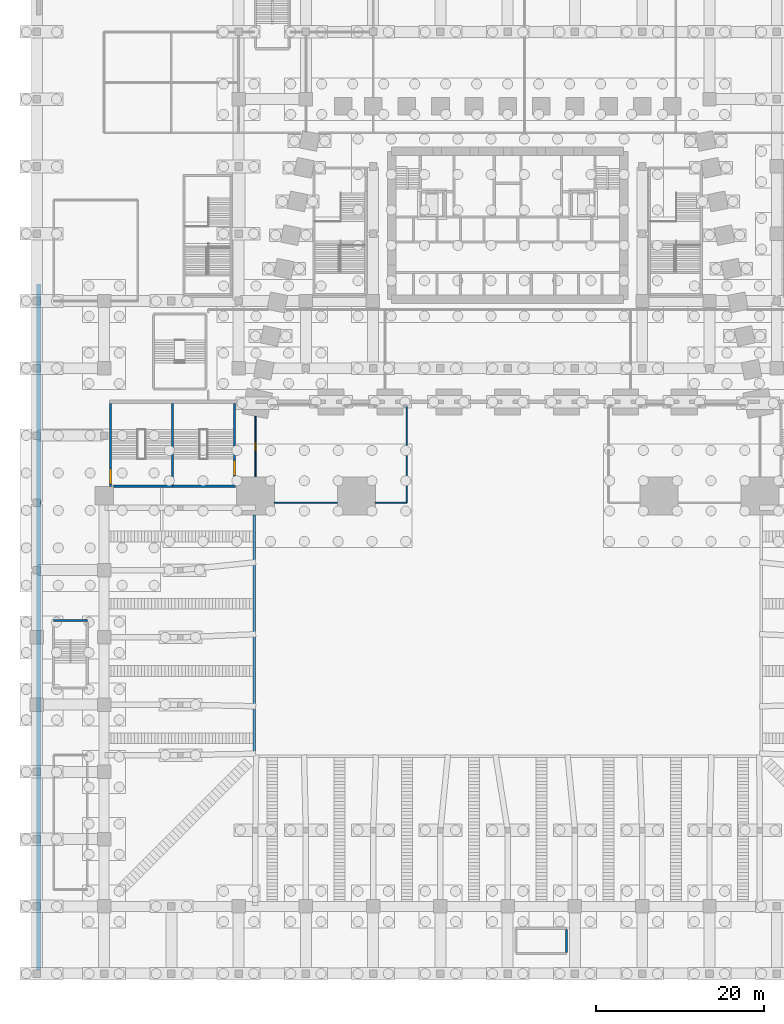
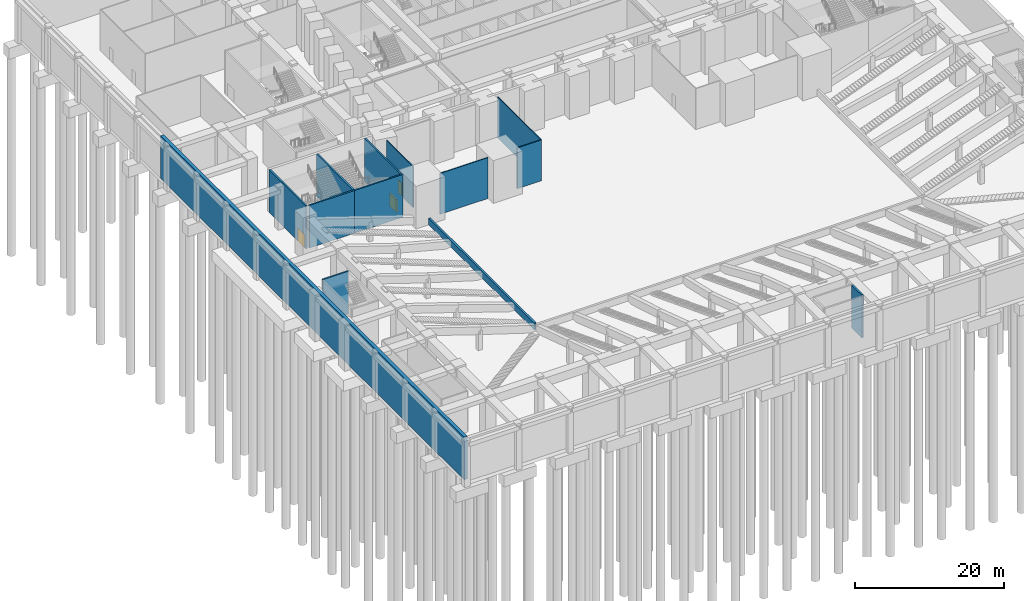
# One storey, part 8 of 30: 13 walls, 3 doors, 3 openings.
"""IFC4 building model written with IfcOpenShell, lengths in metres."""

from ifc_helpers import new_model, si_unit, direction, frame, frame_2d, origin, place, context, subcontext, project, spatial, rectangle, extrude, material, layer, layer_set, type_object, element, fill, save


model = new_model("IFC4")

# Units and contexts
model_context = context("Model", 3, precision=1e-05, world=origin(), true_north=direction((0.0, 1.0)))
body_context = subcontext(model_context, "Body", "Model", "MODEL_VIEW")
ifc_project = project(units=[si_unit("LENGTHUNIT", "METRE"), si_unit("AREAUNIT", "SQUARE_METRE"), si_unit("VOLUMEUNIT", "CUBIC_METRE"), si_unit("PLANEANGLEUNIT", "RADIAN"), si_unit("MASSUNIT", "GRAM", prefix="KILO")], contexts=[model_context])

# Site, building, storey
site_placement = place(None, origin())
site = spatial("IfcSite", under=ifc_project, at=site_placement, CompositionType="ELEMENT")
building_placement = place(site_placement, origin())
building = spatial("IfcBuilding", under=site, at=building_placement, Name="Isbrekke Arena Tower", CompositionType="ELEMENT")
storey_placement = place(building_placement, frame((0.0, 0.0, -7.0)))
storey = spatial("IfcBuildingStorey", under=building, at=storey_placement, Name="B1", CompositionType="ELEMENT", Elevation=-7.0)

# Wall
ifc_material_1 = material(Name="Concrete B45 (C45/55)", Category="concrete")
ifc_layer_1 = layer(ifc_material_1, 0.300048828125)
ifc_layer_set_1 = layer_set([ifc_layer_1], Name="AW2 ARENA PLINTH WALL 300")
wall_type_1 = type_object("IfcWallType", Name="AW2 ARENA PLINTH WALL 300", PredefinedType="SHEAR", material=ifc_layer_set_1)
wall_1_placement = place(storey_placement, frame((-30.14990234375, -19.425048828125, 0.0), z_axis=(0.0, 0.0, 1.0), x_axis=(0.0, -1.0, 0.0)))
element("IfcWall", 1, at=wall_1_placement, inside=storey, type_object=wall_type_1, Name="Arena plinth wall W", PredefinedType="SHEAR", context=body_context, shape_type="SweptSolid", body=[
    extrude(rectangle(XDim=28.425048828125, YDim=0.300048828125, at=frame_2d((14.21240234375, 0.0))), origin(), (0.0, 0.0, 1.0), 1.10009765625),
])

# Wall, opening, door
ifc_material_2 = material(Name="Gypsum board partition on steel studs", Category="steel")
ifc_layer_2 = layer(ifc_material_2, 0.14990234375)
ifc_layer_set_2 = layer_set([ifc_layer_2], Name="IW1 PARTITION 150")
wall_type_2 = type_object("IfcWallType", Name="IW1 PARTITION 150", PredefinedType="PARTITIONING", material=ifc_layer_set_2)
wall_2_placement = place(storey_placement, frame((-30.0, -14.9150390625, 0.0), z_axis=(0.0, 0.0, 1.0), x_axis=(0.0, 1.0, 0.0)))
wall_2 = element("IfcWall", 2, at=wall_2_placement, inside=storey, type_object=wall_type_2, Name="IW1 partition B1", PredefinedType="PARTITIONING", context=body_context, shape_type="SweptSolid", body=[
    extrude(rectangle(XDim=7.193359375, YDim=0.14990234375, at=frame_2d((3.5966796875, 0.0))), origin(), (0.0, 0.0, 1.0), 6.699951171875),
])
opening_1_placement = place(wall_2_placement, frame((3.0966796875, 0.0, 0.0)))
opening_1 = element("IfcOpeningElement", 3, at=opening_1_placement, cuts=wall_2, Name="Opening D6", PredefinedType="OPENING", context=body_context, shape_type="SweptSolid", body=[
    extrude(rectangle(XDim=1.0, YDim=2.10009765625, at=frame_2d((0.5, 1.050048828125))), frame((0.0, 0.08984375, 0.0), z_axis=(0.0, -1.0, 0.0), x_axis=(1.0, 0.0, 0.0)), (0.0, 0.0, 1.0), 0.1796875),
])
ifc_material_3 = material(Name="Timber door", Category="wood")
door_type_1 = type_object("IfcDoorType", Name="D6 ROOM DOOR 1000 x 2100", OperationType="SINGLE_SWING_LEFT", PredefinedType="DOOR", material=ifc_material_3)
door_1_placement = place(opening_1_placement, origin())
door_1 = element("IfcDoor", 4, at=door_1_placement, inside=storey, type_object=door_type_1, Name="D6 door B1-17", OperationType="SINGLE_SWING_LEFT", OverallHeight=2.10009765625, OverallWidth=1.0, PredefinedType="DOOR", context=body_context, shape_type="SweptSolid", body=[
    extrude(rectangle(XDim=1.0, YDim=2.10009765625, at=frame_2d((0.5, 1.050048828125))), frame((0.0, 0.07470703125, 0.0), z_axis=(0.0, -1.0, 0.0), x_axis=(1.0, 0.0, 0.0)), (0.0, 0.0, 1.0), 0.1494140625),
])
fill(opening_1, door_1)

# Walls
wall_3_placement = place(storey_placement, frame((-12.0, -18.0, 0.0), z_axis=(0.0, 0.0, 1.0), x_axis=(0.0, 1.0, 0.0)))
element("IfcWall", 5, at=wall_3_placement, inside=storey, type_object=wall_type_2, Name="IW1 partition B1", PredefinedType="PARTITIONING", context=body_context, shape_type="SweptSolid", body=[
    extrude(rectangle(XDim=11.60009765625, YDim=0.14990234375, at=frame_2d((5.800048828125, 0.0))), origin(), (0.0, 0.0, 1.0), 6.699951171875),
])
wall_4_placement = place(storey_placement, frame((-27.739990234375, -18.0, 0.0), z_axis=(0.0, 0.0, 1.0), x_axis=(1.0, 0.0, 0.0)))
element("IfcWall", 6, at=wall_4_placement, inside=storey, type_object=wall_type_2, Name="IW1 partition B1", PredefinedType="PARTITIONING", context=body_context, shape_type="SweptSolid", body=[
    extrude(rectangle(XDim=7.47998046875, YDim=0.14990234375, at=frame_2d((3.739990234375, 0.0))), origin(), (0.0, 0.0, 1.0), 6.699951171875),
])
wall_5_placement = place(storey_placement, frame((-15.739990234375, -18.0, 0.0), z_axis=(0.0, 0.0, 1.0), x_axis=(1.0, 0.0, 0.0)))
element("IfcWall", 7, at=wall_5_placement, inside=storey, type_object=wall_type_2, Name="IW1 partition B1", PredefinedType="PARTITIONING", context=body_context, shape_type="SweptSolid", body=[
    extrude(rectangle(XDim=3.739990234375, YDim=0.14990234375, at=frame_2d((1.8701171875, 0.0))), origin(), (0.0, 0.0, 1.0), 6.699951171875),
])
ifc_material_4 = material(Name="Concrete B45 (C45/55)", Category="concrete")
ifc_layer_3 = layer(ifc_material_4, 0.5)
ifc_layer_set_3 = layer_set([ifc_layer_3], Name="RW1 BASEMENT RETAINING WALL 500")
wall_type_3 = type_object("IfcWallType", Name="RW1 BASEMENT RETAINING WALL 500", PredefinedType="SOLIDWALL", material=ifc_layer_set_3)
wall_6_placement = place(storey_placement, frame((-55.77490234375, 8.0, 0.0), z_axis=(0.0, 0.0, 1.0), x_axis=(0.0, -1.0, 0.0)))
element("IfcWall", 8, at=wall_6_placement, inside=storey, type_object=wall_type_3, Name="RW1 retaining wall W1", PredefinedType="SOLIDWALL", context=body_context, shape_type="SweptSolid", body=[
    extrude(rectangle(XDim=81.550048828125, YDim=0.5, at=frame_2d((40.77490234375, 0.0))), origin(), (0.0, 0.0, 1.0), 7.0),
])
ifc_material_5 = material(Name="Concrete B45 (C45/55)", Category="concrete")
ifc_layer_4 = layer(ifc_material_5, 0.25)
ifc_layer_set_4 = layer_set([ifc_layer_4], Name="SW1 STAIR ENCLOSURE WALL 250")
wall_type_4 = type_object("IfcWallType", Name="SW1 STAIR ENCLOSURE WALL 250", PredefinedType="SOLIDWALL", material=ifc_layer_set_4)
wall_7_placement = place(storey_placement, frame((-50.0, -32.0, 0.0), z_axis=(0.0, 0.0, 1.0), x_axis=(-1.0, 0.0, 0.0)))
element("IfcWall", 9, at=wall_7_placement, inside=storey, type_object=wall_type_4, Name="SW1 stair wall P4 N B1", PredefinedType="SOLIDWALL", context=body_context, shape_type="SweptSolid", body=[
    extrude(rectangle(XDim=4.0, YDim=0.25, at=frame_2d((2.0, 0.0))), origin(), (0.0, 0.0, 1.0), 7.0),
])
wall_8_placement = place(storey_placement, frame((7.0, -71.47509765625, 0.0), z_axis=(0.0, 0.0, 1.0), x_axis=(0.0, 1.0, 0.0)))
element("IfcWall", 10, at=wall_8_placement, inside=storey, type_object=wall_type_4, Name="SW1 stair wall P5 E B1", PredefinedType="SOLIDWALL", context=body_context, shape_type="SweptSolid", body=[
    extrude(rectangle(XDim=2.75, YDim=0.25, at=frame_2d((1.375, 0.0))), origin(), (0.0, 0.0, 1.0), 7.0),
])
ifc_material_6 = material(Name="Concrete B45 (C45/55)", Category="concrete")
ifc_layer_5 = layer(ifc_material_6, 0.25)
ifc_layer_set_5 = layer_set([ifc_layer_5], Name="SW2 EXIT STAIR WALL 250")
wall_type_5 = type_object("IfcWallType", Name="SW2 EXIT STAIR WALL 250", PredefinedType="SOLIDWALL", material=ifc_layer_set_5)
wall_9_placement = place(storey_placement, frame((-32.375, -16.02490234375, 0.0), z_axis=(0.0, 0.0, 1.0), x_axis=(-1.0, 0.0, 0.0)))
element("IfcWall", 11, at=wall_9_placement, inside=storey, type_object=wall_type_5, Name="SW2 exit stair wall WS1 B1", PredefinedType="SOLIDWALL", context=body_context, shape_type="SweptSolid", body=[
    extrude(rectangle(XDim=7.5, YDim=0.25, at=frame_2d((3.75, 0.0))), origin(), (0.0, 0.0, 1.0), 7.0),
])
wall_10_placement = place(storey_placement, frame((-39.875, -16.02490234375, 0.0), z_axis=(0.0, 0.0, 1.0), x_axis=(-1.0, 0.0, 0.0)))
element("IfcWall", 12, at=wall_10_placement, inside=storey, type_object=wall_type_5, Name="SW2 exit stair wall WS2 B1", PredefinedType="SOLIDWALL", context=body_context, shape_type="SweptSolid", body=[
    extrude(rectangle(XDim=7.02490234375, YDim=0.25, at=frame_2d((3.512451171875, 0.0))), origin(), (0.0, 0.0, 1.0), 7.0),
])

# Wall, opening, door
wall_11_placement = place(storey_placement, frame((-32.5, -15.89990234375, 0.0), z_axis=(0.0, 0.0, 1.0), x_axis=(0.0, 1.0, 0.0)))
wall_11 = element("IfcWall", 13, at=wall_11_placement, inside=storey, type_object=wall_type_5, Name="SW2 exit stair wall WW B1", PredefinedType="SOLIDWALL", context=body_context, shape_type="SweptSolid", body=[
    extrude(rectangle(XDim=9.699951171875, YDim=0.25, at=frame_2d((4.85009765625, 0.0))), origin(), (0.0, 0.0, 1.0), 7.0),
])
opening_2_placement = place(wall_11_placement, frame((1.1201171875, 0.0, 0.0)))
opening_2 = element("IfcOpeningElement", 14, at=opening_2_placement, cuts=wall_11, Name="Opening D9", PredefinedType="OPENING", context=body_context, shape_type="SweptSolid", body=[
    extrude(rectangle(XDim=1.800048828125, YDim=2.10009765625, at=frame_2d((0.89990234375, 1.050048828125))), frame((0.0, 0.139892578125, 0.0), z_axis=(0.0, -1.0, 0.0), x_axis=(1.0, 0.0, 0.0)), (0.0, 0.0, 1.0), 0.27978515625),
])
ifc_material_7 = material(Name="Steel fire door", Category="steel")
door_type_2 = type_object("IfcDoorType", Name="D9 EXIT STAIR DOOR 1800 x 2100", OperationType="DOUBLE_DOOR_SINGLE_SWING", PredefinedType="DOOR", material=ifc_material_7)
door_2_placement = place(opening_2_placement, origin())
door_2 = element("IfcDoor", 15, at=door_2_placement, inside=storey, type_object=door_type_2, Name="D9 exit stair door X3 B1", OperationType="DOUBLE_DOOR_SINGLE_SWING", OverallHeight=2.10009765625, OverallWidth=1.800048828125, PredefinedType="DOOR", context=body_context, shape_type="SweptSolid", body=[
    extrude(rectangle(XDim=1.800048828125, YDim=2.10009765625, at=frame_2d((0.89990234375, 1.050048828125))), frame((0.0, 0.124755859375, 0.0), z_axis=(0.0, -1.0, 0.0), x_axis=(1.0, 0.0, 0.0)), (0.0, 0.0, 1.0), 0.24951171875),
])
fill(opening_2, door_2)

# Wall
wall_12_placement = place(storey_placement, frame((-39.875, -15.89990234375, 0.0), z_axis=(0.0, 0.0, 1.0), x_axis=(0.0, 1.0, 0.0)))
element("IfcWall", 16, at=wall_12_placement, inside=storey, type_object=wall_type_5, Name="SW2 exit stair wall WM B1", PredefinedType="SOLIDWALL", context=body_context, shape_type="SweptSolid", body=[
    extrude(rectangle(XDim=9.699951171875, YDim=0.25, at=frame_2d((4.85009765625, 0.0))), origin(), (0.0, 0.0, 1.0), 7.0),
])

# Wall, opening, door
wall_13_placement = place(storey_placement, frame((-47.25, -16.074951171875, 0.0), z_axis=(0.0, 0.0, 1.0), x_axis=(0.0, 1.0, 0.0)))
wall_13 = element("IfcWall", 17, at=wall_13_placement, inside=storey, type_object=wall_type_5, Name="SW2 exit stair wall WE B1", PredefinedType="SOLIDWALL", context=body_context, shape_type="SweptSolid", body=[
    extrude(rectangle(XDim=9.875, YDim=0.25, at=frame_2d((4.9375, 0.0))), origin(), (0.0, 0.0, 1.0), 7.0),
])
opening_3_placement = place(wall_13_placement, frame((0.324951171875, 0.0, 0.0)))
opening_3 = element("IfcOpeningElement", 18, at=opening_3_placement, cuts=wall_13, Name="Opening D9", PredefinedType="OPENING", context=body_context, shape_type="SweptSolid", body=[
    extrude(rectangle(XDim=1.800048828125, YDim=2.10009765625, at=frame_2d((0.89990234375, 1.050048828125))), frame((0.0, 0.139892578125, 0.0), z_axis=(0.0, -1.0, 0.0), x_axis=(1.0, 0.0, 0.0)), (0.0, 0.0, 1.0), 0.27978515625),
])
door_3_placement = place(opening_3_placement, frame((1.800048828125, 0.0, 0.0), z_axis=(0.0, 0.0, 1.0), x_axis=(-1.0, 0.0, 0.0)))
door_3 = element("IfcDoor", 19, at=door_3_placement, inside=storey, type_object=door_type_2, Name="D9 exit stair door X4 B1", OperationType="DOUBLE_DOOR_SINGLE_SWING", OverallHeight=2.10009765625, OverallWidth=1.800048828125, PredefinedType="DOOR", context=body_context, shape_type="SweptSolid", body=[
    extrude(rectangle(XDim=1.800048828125, YDim=2.10009765625, at=frame_2d((0.89990234375, 1.050048828125))), frame((0.0, 0.124755859375, 0.0), z_axis=(0.0, -1.0, 0.0), x_axis=(1.0, 0.0, 0.0)), (0.0, 0.0, 1.0), 0.24951171875),
])
fill(opening_3, door_3)

save(model, "model.ifc")
